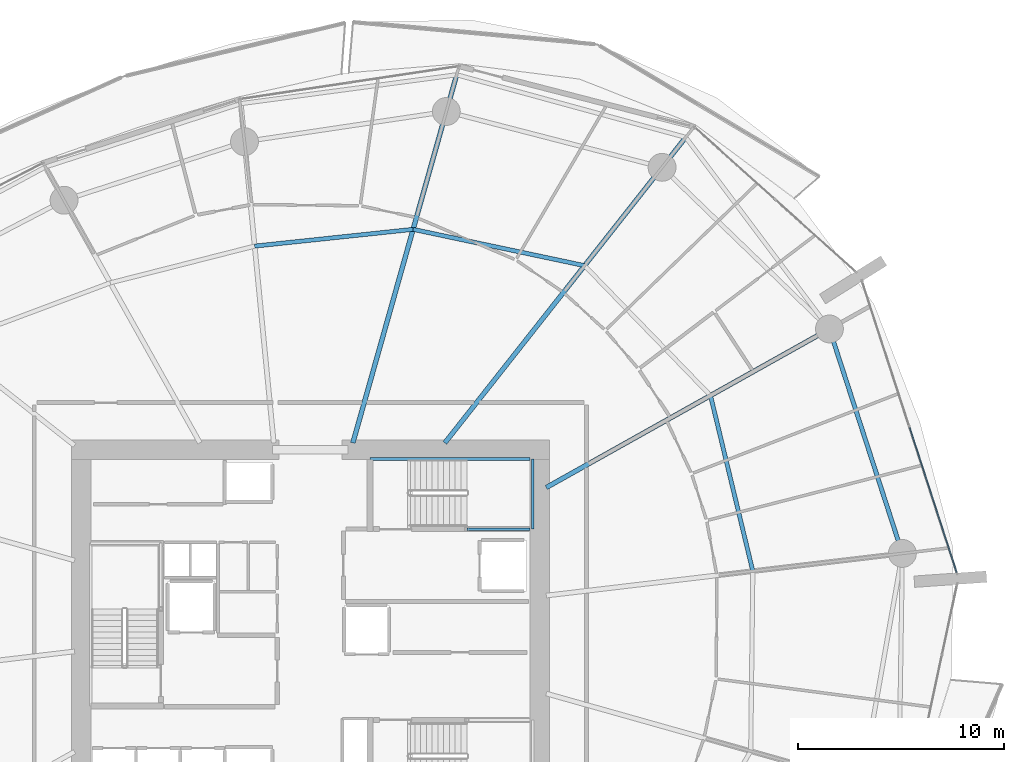
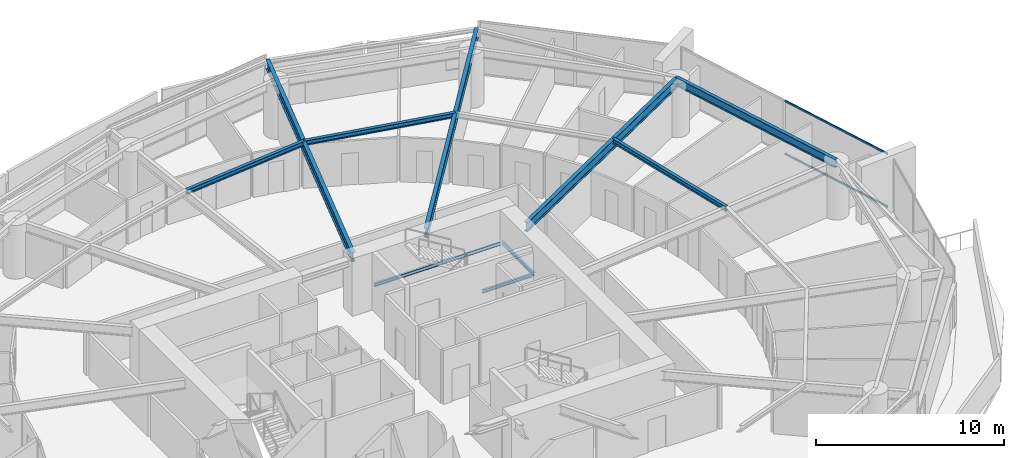
# One storey, part 14 of 31: 10 beams, 2 members, 1 element without a shape of its own.
"""IFC4 building model written with IfcOpenShell, lengths in metres."""

from ifc_helpers import new_model, si_unit, direction, frame, origin, origin_2d, place, context, subcontext, project, spatial, rectangle, i_section, extrude, material, layer, layer_set, material_profile, profile_set, type_object, element, aggregate, save


model = new_model("IFC4")

# Units and contexts
model_context = context("Model", 3, precision=1e-05, world=origin(), true_north=direction((0.0, 1.0)))
body_context = subcontext(model_context, "Body", "Model", "MODEL_VIEW")
ifc_project = project(units=[si_unit("LENGTHUNIT", "METRE"), si_unit("AREAUNIT", "SQUARE_METRE"), si_unit("VOLUMEUNIT", "CUBIC_METRE"), si_unit("PLANEANGLEUNIT", "RADIAN"), si_unit("MASSUNIT", "GRAM", prefix="KILO")], contexts=[model_context])

# Site, building, storey
site_placement = place(None, origin())
site = spatial("IfcSite", under=ifc_project, at=site_placement, CompositionType="ELEMENT")
building_placement = place(site_placement, origin())
building = spatial("IfcBuilding", under=site, at=building_placement, Name="Kazma Halo Residences", CompositionType="ELEMENT")
storey_placement = place(building_placement, frame((0.0, 0.0, 30.14990234375)))
storey = spatial("IfcBuildingStorey", under=building, at=storey_placement, Name="L06", CompositionType="ELEMENT", Elevation=30.14990234375)

# Beams
ifc_material_1 = material(Name="Steel S355", Category="steel")
ifc_material_profile_1 = material_profile(ifc_material_1, i_section(OverallWidth=0.22802734375, OverallDepth=0.60791015625, WebThickness=0.01123046875, FlangeThickness=0.017333984375, FilletRadius=0.01806640625, at=origin_2d()), Name="W610x113")
ifc_profile_set_1 = profile_set([ifc_material_profile_1], Name="Steel S355")
beam_type_1 = type_object("IfcBeamType", Name="BM-RAD-W610", PredefinedType="BEAM", material=ifc_profile_set_1)
beam_1_placement = place(storey_placement, frame((59.85009765625, 48.63623046875, 3.196044921875), z_axis=(0.872489859828, 0.48863221803, 0.0), x_axis=(-0.48863221803, 0.872489859828, 0.0)))
element("IfcBeam", 1, at=beam_1_placement, inside=storey, type_object=beam_type_1, Name="L06 radial floor beam 01", PredefinedType="BEAM", context=body_context, shape_type="SweptSolid", body=[
    extrude(i_section(OverallWidth=0.22802734375, OverallDepth=0.60791015625, WebThickness=0.01123046875, FlangeThickness=0.017333984375, FilletRadius=0.01806640625, at=origin_2d()), origin(), (0.0, 0.0, 1.0), 15.71923828125),
])
beam_2_placement = place(storey_placement, frame((54.9375, 50.800048828125, 3.196044921875), z_axis=(0.619092154321, 0.785318345932, 0.0), x_axis=(-0.785318345932, 0.619092154321, 0.0)))
element("IfcBeam", 2, at=beam_2_placement, inside=storey, type_object=beam_type_1, Name="L06 radial floor beam 02", PredefinedType="BEAM", context=body_context, shape_type="SweptSolid", body=[
    extrude(i_section(OverallWidth=0.22802734375, OverallDepth=0.60791015625, WebThickness=0.01123046875, FlangeThickness=0.017333984375, FilletRadius=0.01806640625, at=origin_2d()), origin(), (0.0, 0.0, 1.0), 18.84375),
])
beam_3_placement = place(storey_placement, frame((50.48193359375, 50.800048828125, 3.196044921875), z_axis=(0.271442010129, 0.962454796412, 0.0), x_axis=(-0.962454796412, 0.271442010129, 0.0)))
element("IfcBeam", 3, at=beam_3_placement, inside=storey, type_object=beam_type_1, Name="L06 radial floor beam 03", PredefinedType="BEAM", context=body_context, shape_type="SweptSolid", body=[
    extrude(i_section(OverallWidth=0.22802734375, OverallDepth=0.60791015625, WebThickness=0.01123046875, FlangeThickness=0.017333984375, FilletRadius=0.01806640625, at=origin_2d()), origin(), (0.0, 0.0, 1.0), 18.525390625),
])
ifc_material_profile_2 = material_profile(ifc_material_1, i_section(OverallWidth=0.202880859375, OverallDepth=0.302978515625, WebThickness=0.007568359375, FlangeThickness=0.01318359375, FilletRadius=0.013916015625, at=origin_2d()), Name="W310x60")
ifc_profile_set_2 = profile_set([ifc_material_profile_2], Name="Steel S355")
beam_type_2 = type_object("IfcBeamType", Name="BM-SEC-W310A", PredefinedType="JOIST", material=ifc_profile_set_2)
beam_4_placement = place(storey_placement, frame((61.703857421875, 59.383056640625, 3.3486328125), z_axis=(-0.97831665719, 0.207114746615, 0.0), x_axis=(-0.207114746615, -0.97831665719, 0.0)))
element("IfcBeam", 4, at=beam_4_placement, inside=storey, type_object=beam_type_2, Name="L06 circumferential floor joist 02", PredefinedType="JOIST", context=body_context, shape_type="SweptSolid", body=[
    extrude(i_section(OverallWidth=0.202880859375, OverallDepth=0.302978515625, WebThickness=0.007568359375, FlangeThickness=0.01318359375, FilletRadius=0.013916015625, at=origin_2d()), origin(), (0.0, 0.0, 1.0), 8.489501953125),
])
beam_5_placement = place(storey_placement, frame((53.3984375, 61.141357421875, 3.3486328125), z_axis=(-0.994456114777, -0.10515244069, 0.0), x_axis=(0.10515244069, -0.994456114777, 0.0)))
element("IfcBeam", 5, at=beam_5_placement, inside=storey, type_object=beam_type_2, Name="L06 circumferential floor joist 03", PredefinedType="JOIST", context=body_context, shape_type="SweptSolid", body=[
    extrude(i_section(OverallWidth=0.202880859375, OverallDepth=0.302978515625, WebThickness=0.007568359375, FlangeThickness=0.01318359375, FilletRadius=0.013916015625, at=origin_2d()), origin(), (0.0, 0.0, 1.0), 7.717529296875),
])
beam_6_placement = place(storey_placement, frame((69.853759765625, 44.586669921875, 3.3486328125), z_axis=(-0.234233116199, 0.972180460242, 0.0), x_axis=(-0.972180460242, -0.234233116199, 0.0)))
element("IfcBeam", 6, at=beam_6_placement, inside=storey, type_object=beam_type_2, Name="L06 circumferential floor joist 16", PredefinedType="JOIST", context=body_context, shape_type="SweptSolid", body=[
    extrude(i_section(OverallWidth=0.202880859375, OverallDepth=0.302978515625, WebThickness=0.007568359375, FlangeThickness=0.01318359375, FilletRadius=0.013916015625, at=origin_2d()), origin(), (0.0, 0.0, 1.0), 8.748046875),
])
ifc_material_profile_3 = material_profile(ifc_material_1, i_section(OverallWidth=0.208984375, OverallDepth=0.532958984375, WebThickness=0.01025390625, FlangeThickness=0.015625, FilletRadius=0.01611328125, at=origin_2d()), Name="W530x92")
ifc_profile_set_3 = profile_set([ifc_material_profile_3], Name="Steel S355")
beam_type_3 = type_object("IfcBeamType", Name="BM-SPN-W530", PredefinedType="BEAM", material=ifc_profile_set_3)
beam_7_placement = place(storey_placement, frame((77.097900390625, 45.444091796875, 3.233642578125), z_axis=(-0.309024264898, 0.951054153928, 0.0), x_axis=(-0.951054153928, -0.309024264898, 0.0)))
element("IfcBeam", 7, at=beam_7_placement, inside=storey, type_object=beam_type_3, Name="L06 perimeter ring beam 16", PredefinedType="BEAM", context=body_context, shape_type="SweptSolid", body=[
    extrude(i_section(OverallWidth=0.208984375, OverallDepth=0.532958984375, WebThickness=0.01025390625, FlangeThickness=0.015625, FilletRadius=0.01611328125, at=origin_2d()), origin(), (0.0, 0.0, 1.0), 11.4326171875),
])
ifc_material_profile_4 = material_profile(ifc_material_1, i_section(OverallWidth=0.133056640625, OverallDepth=0.20703125, WebThickness=0.005859375, FlangeThickness=0.00830078125, FilletRadius=0.010009765625, at=origin_2d()), Name="W200x26.6")
ifc_profile_set_4 = profile_set([ifc_material_profile_4], Name="Steel S355")
beam_type_4 = type_object("IfcBeamType", Name="BM-TRIM-W200", PredefinedType="BEAM", material=ifc_profile_set_4)
beam_8_placement = place(storey_placement, frame((51.31005859375, 50.02001953125, 1.570068359375), z_axis=(1.0, 0.0, 0.0), x_axis=(0.0, 1.0, 0.0)))
element("IfcBeam", 8, at=beam_8_placement, inside=storey, type_object=beam_type_4, Name="L06 ST-02 landing north wall ledger", PredefinedType="BEAM", context=body_context, shape_type="SweptSolid", body=[
    extrude(i_section(OverallWidth=0.133056640625, OverallDepth=0.20703125, WebThickness=0.005859375, FlangeThickness=0.00830078125, FilletRadius=0.010009765625, at=origin_2d()), origin(), (0.0, 0.0, 1.0), 7.760009765625),
])
beam_9_placement = place(storey_placement, frame((56.0, 46.6201171875, 1.570068359375), z_axis=(1.0, 0.0, 0.0), x_axis=(0.0, 1.0, 0.0)))
element("IfcBeam", 9, at=beam_9_placement, inside=storey, type_object=beam_type_4, Name="L06 ST-02 landing south wall ledger", PredefinedType="BEAM", context=body_context, shape_type="SweptSolid", body=[
    extrude(i_section(OverallWidth=0.133056640625, OverallDepth=0.20703125, WebThickness=0.005859375, FlangeThickness=0.00830078125, FilletRadius=0.010009765625, at=origin_2d()), origin(), (0.0, 0.0, 1.0), 3.070068359375),
])
beam_10_placement = place(storey_placement, frame((59.18994140625, 46.6201171875, 1.570068359375), z_axis=(0.0, 1.0, 0.0), x_axis=(-1.0, 0.0, 0.0)))
element("IfcBeam", 10, at=beam_10_placement, inside=storey, type_object=beam_type_4, Name="L06 ST-02 landing end wall ledger", PredefinedType="BEAM", context=body_context, shape_type="SweptSolid", body=[
    extrude(i_section(OverallWidth=0.133056640625, OverallDepth=0.20703125, WebThickness=0.005859375, FlangeThickness=0.00830078125, FilletRadius=0.010009765625, at=origin_2d()), origin(), (0.0, 0.0, 1.0), 3.39990234375),
])

# Curtain wall, members
ifc_material_2 = material(Name="Aluminium AW-6063 T6 and Triple-Silver Low-E Glass", Category="aluminium")
ifc_layer = layer(ifc_material_2, 0.159912109375)
ifc_layer_set = layer_set([ifc_layer], Name="Aluminium AW-6063 T6 and Triple-Silver Low-E Glass")
curtain_wall_type = type_object("IfcCurtainWallType", Name="CW-SYS-2", PredefinedType="NOTDEFINED", material=ifc_layer_set)
curtain_wall_placement = place(storey_placement, origin())
curtain_wall = element("IfcCurtainWall", 11, at=curtain_wall_placement, inside=storey, type_object=curtain_wall_type, Name="L06 unitised curtain wall B16", PredefinedType="NOTDEFINED")
ifc_material_3 = material(Name="Aluminium AW-6063 T6", Category="aluminium")
ifc_material_profile_5 = material_profile(ifc_material_3, rectangle(XDim=0.06005859375, YDim=0.1201171875, at=origin_2d()), Name="CWT-60x120")
ifc_profile_set_5 = profile_set([ifc_material_profile_5], Name="Aluminium AW-6063 T6")
member_type = type_object("IfcMemberType", Name="CW-SYS-2-TRN", PredefinedType="USERDEFINED", material=ifc_profile_set_5)
member_1_placement = place(storey_placement, frame((79.72900390625, 44.52783203125, 0.030029296875), z_axis=(-0.309034393795, 0.951050862705, 0.0), x_axis=(-0.951050862705, -0.309034393795, 0.0)))
member_1 = element("IfcMember", 12, at=member_1_placement, type_object=member_type, Name="CWS-2 transom 1.1", ObjectType="TRANSOM", PredefinedType="USERDEFINED", context=body_context, shape_type="SweptSolid", body=[
    extrude(rectangle(XDim=0.06005859375, YDim=0.1201171875, at=origin_2d()), origin(), (0.0, 0.0, 1.0), 7.370849609375),
])
member_2_placement = place(storey_placement, frame((79.72900390625, 44.52783203125, 3.47021484375), z_axis=(-0.309034393795, 0.951050862705, 0.0), x_axis=(-0.951050862705, -0.309034393795, 0.0)))
member_2 = element("IfcMember", 13, at=member_2_placement, type_object=member_type, Name="CWS-2 transom 1.2", ObjectType="TRANSOM", PredefinedType="USERDEFINED", context=body_context, shape_type="SweptSolid", body=[
    extrude(rectangle(XDim=0.06005859375, YDim=0.1201171875, at=origin_2d()), origin(), (0.0, 0.0, 1.0), 7.370849609375),
])
aggregate(curtain_wall, [member_1, member_2])

save(model, "model.ifc")
